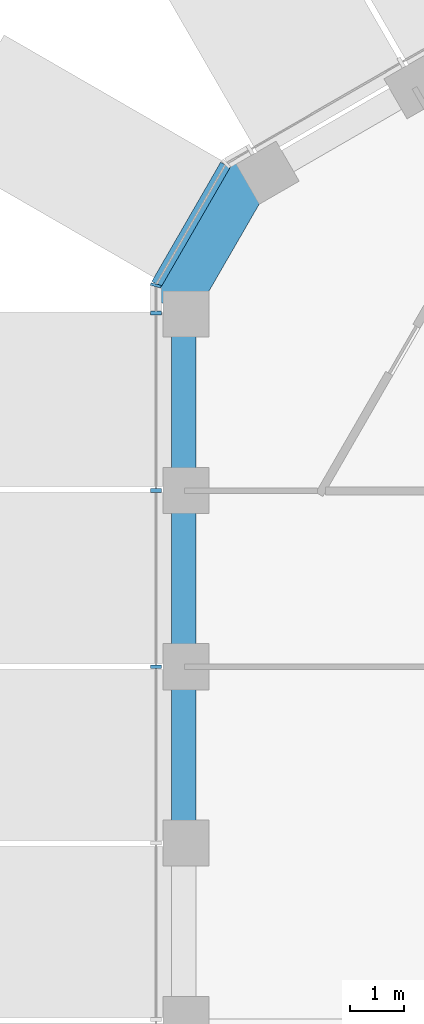
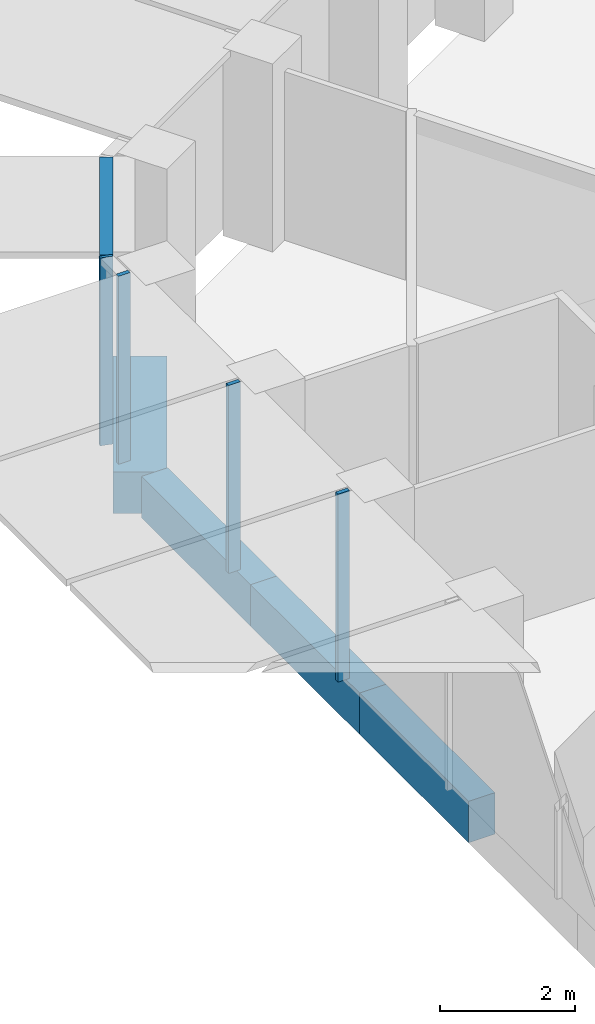
# One storey, part 3 of 17: 5 members, 4 beams, 2 elements without a shape of their own.
"""IFC4 building model written with IfcOpenShell, lengths in metres."""

from ifc_helpers import new_model, si_unit, direction, frame, origin, origin_2d, place, context, subcontext, project, spatial, rectangle, extrude, material, layer, layer_set, material_profile, profile_set, type_object, element, aggregate, save


model = new_model("IFC4")

# Units and contexts
model_context = context("Model", 3, precision=1e-05, world=origin(), true_north=direction((0.0, 1.0)))
body_context = subcontext(model_context, "Body", "Model", "MODEL_VIEW")
ifc_project = project(units=[si_unit("LENGTHUNIT", "METRE"), si_unit("AREAUNIT", "SQUARE_METRE"), si_unit("VOLUMEUNIT", "CUBIC_METRE"), si_unit("PLANEANGLEUNIT", "RADIAN"), si_unit("MASSUNIT", "GRAM", prefix="KILO")], contexts=[model_context])

# Site, building, storey
site_placement = place(None, origin())
site = spatial("IfcSite", under=ifc_project, at=site_placement, CompositionType="ELEMENT")
building_placement = place(site_placement, origin())
building = spatial("IfcBuilding", under=site, at=building_placement, Name="Ayvan Gate Tower", CompositionType="ELEMENT")
storey_placement = place(building_placement, frame((0.0, 0.0, 225.699951171875)))
storey = spatial("IfcBuildingStorey", under=building, at=storey_placement, Name="L60", CompositionType="ELEMENT", Elevation=225.699951171875)

# Beams
ifc_material_1 = material(Name="Concrete C40/50", Category="concrete")
ifc_material_profile_1 = material_profile(ifc_material_1, rectangle(XDim=0.800048828125, YDim=0.75, at=origin_2d()), Name="RC 800x750")
ifc_profile_set_1 = profile_set([ifc_material_profile_1], Name="Concrete C40/50")
beam_type_1 = type_object("IfcBeamType", Name="Corner spandrel beam RC 800x750 C40/50", PredefinedType="BEAM", material=ifc_profile_set_1)
beam_1_placement = place(storey_placement, frame((-15.471923828125, 10.787353515625, -0.724853515625), z_axis=(-0.499990139034, -0.866031096941, 0.0), x_axis=(0.866031096941, -0.499990139034, 0.0)))
element("IfcBeam", 1, at=beam_1_placement, inside=storey, type_object=beam_type_1, Name="SB-L60-18", PredefinedType="BEAM", context=body_context, shape_type="SweptSolid", body=[
    extrude(rectangle(XDim=0.800048828125, YDim=0.75, at=origin_2d()), origin(), (0.0, 0.0, 1.0), 3.0),
])
ifc_material_profile_2 = material_profile(ifc_material_1, rectangle(XDim=0.449951171875, YDim=0.75, at=origin_2d()), Name="RC 450x750")
ifc_profile_set_2 = profile_set([ifc_material_profile_2], Name="Concrete C40/50")
beam_type_2 = type_object("IfcBeamType", Name="Spandrel beam RC 450x750 C40/50", PredefinedType="BEAM", material=ifc_profile_set_2)
for number, where, z_axis, x_axis, name in (
    (2, (-16.781494140625, 8.0791015625, -0.724853515625), (0.0, -1.0, 0.0), (1.0, 0.0, 0.0), "SB-L60-19"),
    (3, (-16.781494140625, 4.847412109375, -0.724853515625), (0.0, -1.0, 0.0), (1.0, 0.0, 0.0), "SB-L60-20"),
):
    element("IfcBeam", number, at=place(storey_placement, frame(where, z_axis=z_axis, x_axis=x_axis)), inside=storey, type_object=beam_type_2, Name=name, PredefinedType="BEAM", context=body_context, shape_type="SweptSolid", body=[
        extrude(rectangle(XDim=0.449951171875, YDim=0.75, at=origin_2d()), origin(), (0.0, 0.0, 1.0), 3.231689453125),
    ])
beam_2_placement = place(storey_placement, frame((-16.781494140625, 1.61572265625, -0.724853515625), z_axis=(0.0, -1.0, 0.0), x_axis=(1.0, 0.0, 0.0)))
element("IfcBeam", 4, at=beam_2_placement, inside=storey, type_object=beam_type_2, Name="SB-L60-21", PredefinedType="BEAM", context=body_context, shape_type="SweptSolid", body=[
    extrude(rectangle(XDim=0.449951171875, YDim=0.75, at=origin_2d()), origin(), (0.0, 0.0, 1.0), 3.2314453125),
])

# Curtain wall, members
ifc_material_2 = material(Name="Bronze anodised aluminium", Category="aluminium")
ifc_layer_1 = layer(ifc_material_2, 0.199951171875)
ifc_layer_set_1 = layer_set([ifc_layer_1], Name="Bronze anodised aluminium")
curtain_wall_type_1 = type_object("IfcCurtainWallType", Name="Stick curtain wall CW-2", PredefinedType="NOTDEFINED", material=ifc_layer_set_1)
curtain_wall_1_placement = place(storey_placement, origin())
curtain_wall_1 = element("IfcCurtainWall", 5, at=curtain_wall_1_placement, inside=storey, type_object=curtain_wall_type_1, Name="Stick curtain wall CW-2 L60", PredefinedType="NOTDEFINED")
ifc_material_profile_3 = material_profile(ifc_material_2, rectangle(XDim=0.199951171875, YDim=0.070068359375, at=origin_2d()), Name="Stick curtain wall CW-2 mullion 200 x 70")
ifc_profile_set_3 = profile_set([ifc_material_profile_3], Name="Bronze anodised aluminium")
member_type_1 = type_object("IfcMemberType", Name="Stick curtain wall CW-2 mullion 200 x 70", PredefinedType="MULLION", material=ifc_profile_set_3)
member_1_placement = place(storey_placement, frame((-17.293701171875, 8.12060546875, 0.0), z_axis=(0.0, 0.0, 1.0), x_axis=(-1.0, 0.0, 0.0)))
member_1 = element("IfcMember", 6, at=member_1_placement, type_object=member_type_1, Name="CW-2 mullion 1", PredefinedType="MULLION", context=body_context, shape_type="SweptSolid", body=[
    extrude(rectangle(XDim=0.199951171875, YDim=0.070068359375, at=origin_2d()), origin(), (0.0, 0.0, 1.0), 3.400146484375),
])
member_2_placement = place(storey_placement, frame((-17.293701171875, 4.862548828125, 0.0), z_axis=(0.0, 0.0, 1.0), x_axis=(-1.0, 0.0, 0.0)))
member_2 = element("IfcMember", 7, at=member_2_placement, type_object=member_type_1, Name="CW-2 mullion 2", PredefinedType="MULLION", context=body_context, shape_type="SweptSolid", body=[
    extrude(rectangle(XDim=0.199951171875, YDim=0.070068359375, at=origin_2d()), origin(), (0.0, 0.0, 1.0), 3.400146484375),
])
member_3_placement = place(storey_placement, frame((-17.293701171875, 1.62060546875, 0.0), z_axis=(0.0, 0.0, 1.0), x_axis=(-1.0, 0.0, 0.0)))
member_3 = element("IfcMember", 8, at=member_3_placement, type_object=member_type_1, Name="CW-2 mullion 3", PredefinedType="MULLION", context=body_context, shape_type="SweptSolid", body=[
    extrude(rectangle(XDim=0.199951171875, YDim=0.070068359375, at=origin_2d()), origin(), (0.0, 0.0, 1.0), 3.400146484375),
])
aggregate(curtain_wall_1, [member_1, member_2, member_3])

ifc_layer_2 = layer(ifc_material_2, 0.199951171875)
ifc_layer_set_2 = layer_set([ifc_layer_2], Name="Bronze anodised aluminium")
curtain_wall_type_2 = type_object("IfcCurtainWallType", Name="Stick curtain wall CW-6", PredefinedType="NOTDEFINED", material=ifc_layer_set_2)
curtain_wall_2_placement = place(storey_placement, origin())
curtain_wall_2 = element("IfcCurtainWall", 9, at=curtain_wall_2_placement, inside=storey, type_object=curtain_wall_type_2, Name="Stick curtain wall CW-6 L60", PredefinedType="NOTDEFINED")
ifc_material_profile_4 = material_profile(ifc_material_2, rectangle(XDim=0.199951171875, YDim=0.050048828125, at=origin_2d()), Name="Stick curtain wall CW-6 mullion 200 x 50")
ifc_profile_set_4 = profile_set([ifc_material_profile_4], Name="Bronze anodised aluminium")
member_type_2 = type_object("IfcMemberType", Name="Stick curtain wall CW-6 mullion 200 x 50", PredefinedType="MULLION", material=ifc_profile_set_4)
member_4_placement = place(storey_placement, frame((-17.293701171875, 8.630615234375, 0.0), z_axis=(0.0, 0.0, 1.0), x_axis=(-0.965925826289, 0.258819045103, 0.0)))
member_4 = element("IfcMember", 10, at=member_4_placement, type_object=member_type_2, Name="CW-6 mullion 3", PredefinedType="MULLION", context=body_context, shape_type="SweptSolid", body=[
    extrude(rectangle(XDim=0.199951171875, YDim=0.050048828125, at=origin_2d()), origin(), (0.0, 0.0, 1.0), 3.400146484375),
])
ifc_material_profile_5 = material_profile(ifc_material_2, rectangle(XDim=0.199951171875, YDim=0.1201171875, at=origin_2d()), Name="Stick curtain wall CW-6 transom 200 x 120")
ifc_profile_set_5 = profile_set([ifc_material_profile_5], Name="Bronze anodised aluminium")
member_type_3 = type_object("IfcMemberType", Name="Stick curtain wall CW-6 transom 200 x 120", PredefinedType="USERDEFINED", material=ifc_profile_set_5)
member_5_placement = place(storey_placement, frame((-16.01513671875, 10.845458984375, 3.340087890625), z_axis=(-0.49997559865, -0.866039491452, 0.0), x_axis=(0.866039491452, -0.49997559865, 0.0)))
member_5 = element("IfcMember", 11, at=member_5_placement, type_object=member_type_3, Name="CW-6 transom 2", ObjectType="TRANSOM", PredefinedType="USERDEFINED", context=body_context, shape_type="SweptSolid", body=[
    extrude(rectangle(XDim=0.199951171875, YDim=0.1201171875, at=origin_2d()), origin(), (0.0, 0.0, 1.0), 2.532470703125),
])
aggregate(curtain_wall_2, [member_4, member_5])

save(model, "model.ifc")
